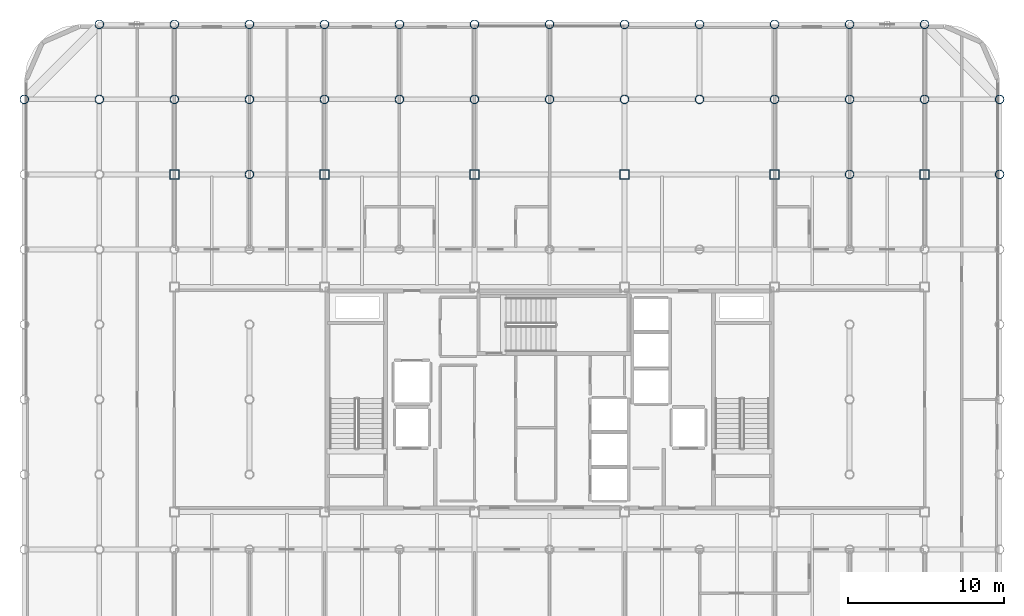
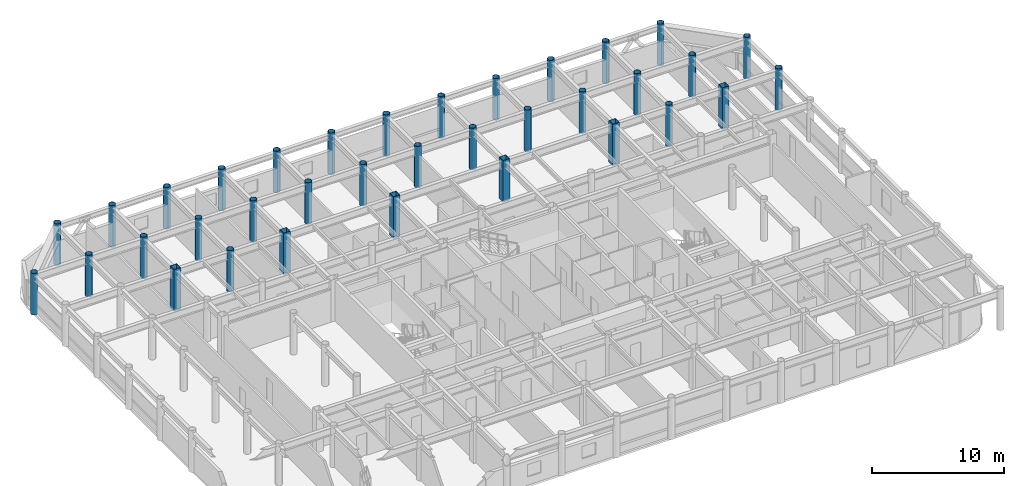
# One storey, part 2 of 22: 35 columns.
"""IFC4 building model written with IfcOpenShell, lengths in metres."""

from ifc_helpers import new_model, si_unit, direction, frame, origin, origin_2d, place, context, subcontext, project, spatial, hollow_rectangle, hollow_circle, extrude, material, material_profile, profile_set, type_object, element, save


model = new_model("IFC4")

# Units and contexts
model_context = context("Model", 3, precision=1e-05, world=origin(), true_north=direction((0.0, 1.0)))
body_context = subcontext(model_context, "Body", "Model", "MODEL_VIEW")
ifc_project = project(units=[si_unit("LENGTHUNIT", "METRE"), si_unit("AREAUNIT", "SQUARE_METRE"), si_unit("VOLUMEUNIT", "CUBIC_METRE"), si_unit("PLANEANGLEUNIT", "RADIAN"), si_unit("MASSUNIT", "GRAM", prefix="KILO")], contexts=[model_context])

# Site, building, storey
site_placement = place(None, origin())
site = spatial("IfcSite", under=ifc_project, at=site_placement, CompositionType="ELEMENT")
building_placement = place(site_placement, origin())
building = spatial("IfcBuilding", under=site, at=building_placement, Name="Kallvorn Hotel Tower", CompositionType="ELEMENT")
storey_placement = place(building_placement, frame((0.0, 0.0, 256.949951171875)))
storey = spatial("IfcBuildingStorey", under=building, at=storey_placement, Name="L64", CompositionType="ELEMENT", Elevation=256.949951171875)

# Columns
ifc_material_1 = material(Name="Structural steel S355J2H", Category="steel")
ifc_material_profile_1 = material_profile(ifc_material_1, hollow_circle(Radius=0.279541015625, WallThickness=0.02490234375, at=origin_2d()), Name="CHS 559x25")
ifc_profile_set_1 = profile_set([ifc_material_profile_1], Name="Structural steel S355J2H")
column_type_1 = type_object("IfcColumnType", Name="COL_CHS_559", PredefinedType="COLUMN", material=ifc_profile_set_1)
for number, where, z_axis, x_axis, name in (
    (1, (-33.60009765625, 19.199951171875, 0.0), (0.0, 0.0, 1.0), (1.0, 0.0, 0.0), "L64 Exoskeleton Column EC08"),
    (2, (-28.800048828125, 19.199951171875, 0.0), (0.0, 0.0, 1.0), (1.0, 0.0, 0.0), "L64 Exoskeleton Column EC17"),
    (3, (-28.800048828125, 24.0, 0.0), (0.0, 0.0, 1.0), (1.0, 0.0, 0.0), "L64 Exoskeleton Column EC18"),
    (4, (-24.0, 19.199951171875, 0.0), (0.0, 0.0, 1.0), (1.0, 0.0, 0.0), "L64 Exoskeleton Column EC22"),
    (5, (-24.0, 24.0, 0.0), (0.0, 0.0, 1.0), (1.0, 0.0, 0.0), "L64 Exoskeleton Column EC23"),
    (6, (-19.199951171875, 14.39990234375, 0.0), (0.0, 0.0, 1.0), (1.0, 0.0, 0.0), "L64 Exoskeleton Column EC31"),
    (7, (-19.199951171875, 19.199951171875, 0.0), (0.0, 0.0, 1.0), (1.0, 0.0, 0.0), "L64 Exoskeleton Column EC32"),
    (8, (-19.199951171875, 24.0, 0.0), (0.0, 0.0, 1.0), (1.0, 0.0, 0.0), "L64 Exoskeleton Column EC33"),
    (9, (-14.39990234375, 19.199951171875, 0.0), (0.0, 0.0, 1.0), (1.0, 0.0, 0.0), "L64 Exoskeleton Column EC35"),
    (10, (-14.39990234375, 24.0, 0.0), (0.0, 0.0, 1.0), (1.0, 0.0, 0.0), "L64 Exoskeleton Column EC36"),
    (11, (-9.60009765625, 19.199951171875, 0.0), (0.0, 0.0, 1.0), (1.0, 0.0, 0.0), "L64 Exoskeleton Column EC40"),
    (12, (-9.60009765625, 24.0, 0.0), (0.0, 0.0, 1.0), (1.0, 0.0, 0.0), "L64 Exoskeleton Column EC41"),
    (13, (-4.800048828125, 19.199951171875, 0.0), (0.0, 0.0, 1.0), (1.0, 0.0, 0.0), "L64 Exoskeleton Column EC43"),
    (14, (-4.800048828125, 24.0, 0.0), (0.0, 0.0, 1.0), (1.0, 0.0, 0.0), "L64 Exoskeleton Column EC44"),
    (15, (0.0, 19.199951171875, 0.0), (0.0, 0.0, 1.0), (1.0, 0.0, 0.0), "L64 Exoskeleton Column EC48"),
    (16, (0.0, 24.0, 0.0), (0.0, 0.0, 1.0), (1.0, 0.0, 0.0), "L64 Exoskeleton Column EC49"),
    (17, (4.800048828125, 19.199951171875, 0.0), (0.0, 0.0, 1.0), (1.0, 0.0, 0.0), "L64 Exoskeleton Column EC51"),
    (18, (4.800048828125, 24.0, 0.0), (0.0, 0.0, 1.0), (1.0, 0.0, 0.0), "L64 Exoskeleton Column EC52"),
    (19, (9.60009765625, 19.199951171875, 0.0), (0.0, 0.0, 1.0), (1.0, 0.0, 0.0), "L64 Exoskeleton Column EC56"),
    (20, (9.60009765625, 24.0, 0.0), (0.0, 0.0, 1.0), (1.0, 0.0, 0.0), "L64 Exoskeleton Column EC57"),
    (21, (14.39990234375, 19.199951171875, 0.0), (0.0, 0.0, 1.0), (1.0, 0.0, 0.0), "L64 Exoskeleton Column EC59"),
    (22, (14.39990234375, 24.0, 0.0), (0.0, 0.0, 1.0), (1.0, 0.0, 0.0), "L64 Exoskeleton Column EC60"),
    (23, (19.199951171875, 14.39990234375, 0.0), (0.0, 0.0, 1.0), (1.0, 0.0, 0.0), "L64 Exoskeleton Column EC68"),
    (24, (19.199951171875, 19.199951171875, 0.0), (0.0, 0.0, 1.0), (1.0, 0.0, 0.0), "L64 Exoskeleton Column EC69"),
    (25, (19.199951171875, 24.0, 0.0), (0.0, 0.0, 1.0), (1.0, 0.0, 0.0), "L64 Exoskeleton Column EC70"),
    (26, (24.0, 19.199951171875, 0.0), (0.0, 0.0, 1.0), (1.0, 0.0, 0.0), "L64 Exoskeleton Column EC74"),
    (27, (24.0, 24.0, 0.0), (0.0, 0.0, 1.0), (1.0, 0.0, 0.0), "L64 Exoskeleton Column EC75"),
    (28, (28.800048828125, 14.39990234375, 0.0), (0.0, 0.0, 1.0), (1.0, 0.0, 0.0), "L64 Exoskeleton Column EC83"),
    (29, (28.800048828125, 19.199951171875, 0.0), (0.0, 0.0, 1.0), (1.0, 0.0, 0.0), "L64 Exoskeleton Column EC84"),
):
    element("IfcColumn", number, at=place(storey_placement, frame(where, z_axis=z_axis, x_axis=x_axis)), inside=storey, type_object=column_type_1, Name=name, PredefinedType="COLUMN", context=body_context, shape_type="SweptSolid", body=[
        extrude(hollow_circle(Radius=0.279541015625, WallThickness=0.02490234375, at=origin_2d()), origin(), (0.0, 0.0, 1.0), 3.85009765625),
    ])
ifc_material_2 = material(Name="Structural steel S355J2H", Category="steel")
ifc_material_profile_2 = material_profile(ifc_material_2, hollow_rectangle(XDim=0.60009765625, YDim=0.60009765625, WallThickness=0.028076171875, at=origin_2d()), Name="RHS 600x600x28")
ifc_profile_set_2 = profile_set([ifc_material_profile_2], Name="Structural steel S355J2H")
column_type_2 = type_object("IfcColumnType", Name="COL_RHS_600", PredefinedType="COLUMN", material=ifc_profile_set_2)
for number, where, z_axis, x_axis, name in (
    (30, (-24.0, 14.39990234375, 0.0), (0.0, 0.0, 1.0), (1.0, 0.0, 0.0), "L64 Inner Column IC04"),
    (31, (-14.39990234375, 14.39990234375, 0.0), (0.0, 0.0, 1.0), (1.0, 0.0, 0.0), "L64 Inner Column IC08"),
    (32, (-4.800048828125, 14.39990234375, 0.0), (0.0, 0.0, 1.0), (1.0, 0.0, 0.0), "L64 Inner Column IC12"),
    (33, (4.800048828125, 14.39990234375, 0.0), (0.0, 0.0, 1.0), (1.0, 0.0, 0.0), "L64 Inner Column IC16"),
    (34, (14.39990234375, 14.39990234375, 0.0), (0.0, 0.0, 1.0), (1.0, 0.0, 0.0), "L64 Inner Column IC20"),
    (35, (24.0, 14.39990234375, 0.0), (0.0, 0.0, 1.0), (1.0, 0.0, 0.0), "L64 Inner Column IC24"),
):
    element("IfcColumn", number, at=place(storey_placement, frame(where, z_axis=z_axis, x_axis=x_axis)), inside=storey, type_object=column_type_2, Name=name, PredefinedType="COLUMN", context=body_context, shape_type="SweptSolid", body=[
        extrude(hollow_rectangle(XDim=0.60009765625, YDim=0.60009765625, WallThickness=0.028076171875, at=origin_2d()), origin(), (0.0, 0.0, 1.0), 3.85009765625),
    ])

save(model, "model.ifc")
